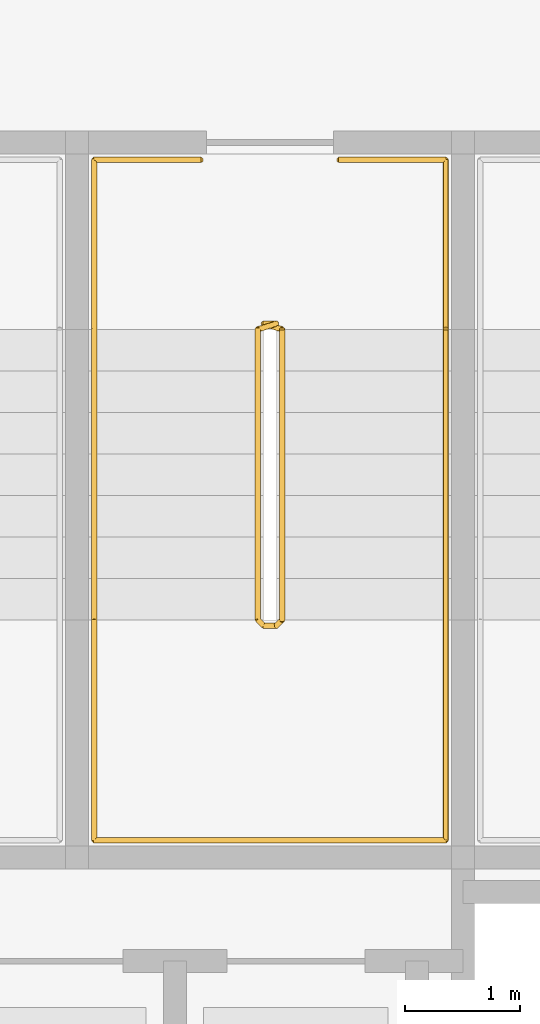
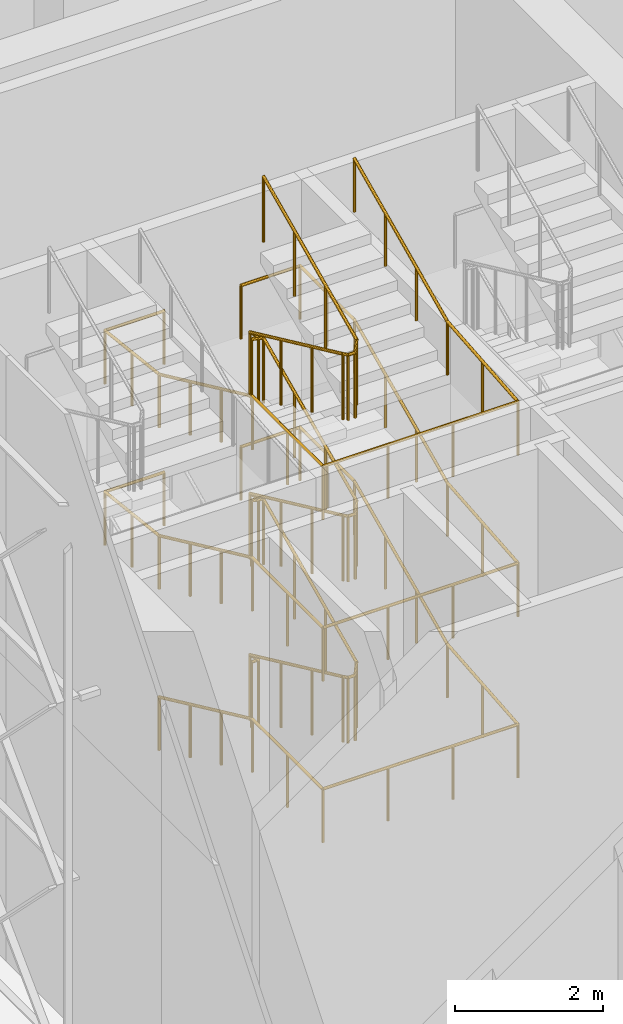
# One storey, part 61 of 64: 4 railings.
"""IFC4 building model written with IfcOpenShell, lengths in metres."""

from ifc_helpers import new_model, si_unit, direction, frame, origin, origin_2d, place, context, subcontext, project, spatial, circle, extrude, material, type_object, element, save


model = new_model("IFC4")

# Units and contexts
model_context = context("Model", 3, precision=1e-05, world=origin(), true_north=direction((0.0, 1.0)))
body_context = subcontext(model_context, "Body", "Model", "MODEL_VIEW")
ifc_project = project(units=[si_unit("LENGTHUNIT", "METRE"), si_unit("AREAUNIT", "SQUARE_METRE"), si_unit("VOLUMEUNIT", "CUBIC_METRE"), si_unit("PLANEANGLEUNIT", "RADIAN"), si_unit("MASSUNIT", "GRAM", prefix="KILO")], contexts=[model_context])

# Site, building, storey
site_placement = place(None, origin())
site = spatial("IfcSite", under=ifc_project, at=site_placement, CompositionType="ELEMENT")
building_placement = place(site_placement, origin())
building = spatial("IfcBuilding", under=site, at=building_placement, Name="Tessera Arch", CompositionType="ELEMENT")
storey_placement = place(building_placement, origin())
storey = spatial("IfcBuildingStorey", under=building, at=storey_placement, Name="L00", CompositionType="ELEMENT", Elevation=0.0)

# Railings
ifc_material_1 = material(Name="Painted steel balustrade", Category="steel")
railing_type_1 = type_object("IfcRailingType", Name="Stair guard 1100", PredefinedType="GUARDRAIL", material=ifc_material_1)
railing_1_placement = place(storey_placement, frame((41.570068359375, 43.6298828125, 0.0)))
element("IfcRailing", 1, at=railing_1_placement, inside=storey, type_object=railing_type_1, Name="L00 S1b stair guard 1", PredefinedType="GUARDRAIL", context=body_context, shape_type="SweptSolid", body=[
    extrude(circle(Radius=0.02392578125, at=origin_2d()), frame((-0.00390625, 0.0, 1.076171875), z_axis=(1.0, 0.0, 0.0), x_axis=(0.0, 1.0, 0.0)), (0.0, 0.0, 1.0), 0.117919921875),
    extrude(circle(Radius=0.02392578125, at=origin_2d()), frame((0.112548828125, 0.000732421875, 1.0732421875), z_axis=(-0.676614622933, -0.210731882562, 0.705538606814), x_axis=(0.297361876254, -0.954764847777, 0.0)), (0.0, 0.0, 1.0), 0.244384765625),
    extrude(circle(Radius=0.02392578125, at=origin_2d()), frame((-0.050048828125, -0.046142578125, 1.2412109375), z_axis=(0.0, -0.907490492863, 0.420072619153), x_axis=(1.0, 0.0, 0.0)), (0.0, 0.0, 1.0), 2.784912109375),
    extrude(circle(Radius=0.02392578125, at=origin_2d()), frame((-0.052978515625, -2.56689453125, 2.4091796875), z_axis=(0.707106781187, -0.707106781187, 0.0), x_axis=(0.707106781187, 0.707106781187, 0.0)), (0.0, 0.0, 1.0), 0.078857421875),
    extrude(circle(Radius=0.02392578125, at=origin_2d()), frame((-0.00390625, -2.619873046875, 2.4091796875), z_axis=(1.0, 0.0, 0.0), x_axis=(0.0, 1.0, 0.0)), (0.0, 0.0, 1.0), 0.117919921875),
    extrude(circle(Radius=0.02392578125, at=origin_2d()), frame((0.108642578125, -2.62109375, 2.405517578125), z_axis=(0.27628659633, 0.27628659633, 0.920506074601), x_axis=(-0.707106781187, 0.707106781187, 0.0)), (0.0, 0.0, 1.0), 0.189208984375),
    extrude(circle(Radius=0.02392578125, at=origin_2d()), frame((0.159912109375, -2.573486328125, 2.574462890625), z_axis=(0.0, 0.907456975791, 0.420145019115), x_axis=(-1.0, 0.0, 0.0)), (0.0, 0.0, 1.0), 2.784912109375),
    extrude(circle(Radius=0.02392578125, at=origin_2d()), frame((0.163818359375, -0.051025390625, 3.74267578125), z_axis=(-0.954764847777, 0.297361876254, 0.0), x_axis=(-0.297361876254, -0.954764847777, 0.0)), (0.0, 0.0, 1.0), 0.175537109375),
    extrude(circle(Radius=0.02392578125, at=origin_2d()), frame((-0.00390625, 0.0, 3.74267578125), z_axis=(1.0, 0.0, 0.0), x_axis=(0.0, 1.0, 0.0)), (0.0, 0.0, 1.0), 0.117919921875),
    extrude(circle(Radius=0.02392578125, at=origin_2d()), frame((0.112548828125, 0.000732421875, 3.739990234375), z_axis=(-0.67710793183, -0.210885523807, 0.705019251157), x_axis=(0.297361876254, -0.954764847777, 0.0)), (0.0, 0.0, 1.0), 0.244140625),
    extrude(circle(Radius=0.02392578125, at=origin_2d()), frame((-0.050048828125, -0.046142578125, 3.90771484375), z_axis=(0.0, -0.907456975791, 0.420145019115), x_axis=(1.0, 0.0, 0.0)), (0.0, 0.0, 1.0), 2.784912109375),
    extrude(circle(Radius=0.02392578125, at=origin_2d()), frame((-0.052978515625, -2.56689453125, 5.076171875), z_axis=(0.707106781187, -0.707106781187, 0.0), x_axis=(0.707106781187, 0.707106781187, 0.0)), (0.0, 0.0, 1.0), 0.078857421875),
    extrude(circle(Radius=0.02392578125, at=origin_2d()), frame((-0.00390625, -2.619873046875, 5.076171875), z_axis=(1.0, 0.0, 0.0), x_axis=(0.0, 1.0, 0.0)), (0.0, 0.0, 1.0), 0.117919921875),
    extrude(circle(Radius=0.02392578125, at=origin_2d()), frame((0.108642578125, -2.62109375, 5.072265625), z_axis=(0.27628659633, 0.27628659633, 0.920506074601), x_axis=(-0.707106781187, 0.707106781187, 0.0)), (0.0, 0.0, 1.0), 0.189208984375),
    extrude(circle(Radius=0.02392578125, at=origin_2d()), frame((0.159912109375, -2.573486328125, 5.2412109375), z_axis=(0.0, 0.907490492863, 0.420072619153), x_axis=(-1.0, 0.0, 0.0)), (0.0, 0.0, 1.0), 2.784912109375),
    extrude(circle(Radius=0.02392578125, at=origin_2d()), frame((0.163818359375, -0.051025390625, 6.4091796875), z_axis=(-0.954764847777, 0.297361876254, 0.0), x_axis=(-0.297361876254, -0.954764847777, 0.0)), (0.0, 0.0, 1.0), 0.175537109375),
    extrude(circle(Radius=0.02392578125, at=origin_2d()), frame((-0.00390625, 0.0, 6.4091796875), z_axis=(1.0, 0.0, 0.0), x_axis=(0.0, 1.0, 0.0)), (0.0, 0.0, 1.0), 0.117919921875),
    extrude(circle(Radius=0.02392578125, at=origin_2d()), frame((0.112548828125, 0.000732421875, 6.406494140625), z_axis=(-0.676614622933, -0.210731882562, 0.705538606814), x_axis=(0.297361876254, -0.954764847777, 0.0)), (0.0, 0.0, 1.0), 0.244384765625),
    extrude(circle(Radius=0.02392578125, at=origin_2d()), frame((-0.050048828125, -0.046142578125, 6.574462890625), z_axis=(0.0, -0.907456975791, 0.420145019115), x_axis=(1.0, 0.0, 0.0)), (0.0, 0.0, 1.0), 2.784912109375),
    extrude(circle(Radius=0.02392578125, at=origin_2d()), frame((-0.052978515625, -2.56689453125, 7.74267578125), z_axis=(0.707106781187, -0.707106781187, 0.0), x_axis=(0.707106781187, 0.707106781187, 0.0)), (0.0, 0.0, 1.0), 0.078857421875),
    extrude(circle(Radius=0.02392578125, at=origin_2d()), frame((-0.00390625, -2.619873046875, 7.74267578125), z_axis=(1.0, 0.0, 0.0), x_axis=(0.0, 1.0, 0.0)), (0.0, 0.0, 1.0), 0.117919921875),
    extrude(circle(Radius=0.02392578125, at=origin_2d()), frame((0.108642578125, -2.62109375, 7.739013671875), z_axis=(0.27662974545, 0.27662974545, 0.920299933644), x_axis=(-0.707106781187, 0.707106781187, 0.0)), (0.0, 0.0, 1.0), 0.18896484375),
    extrude(circle(Radius=0.02392578125, at=origin_2d()), frame((0.159912109375, -2.573486328125, 7.90771484375), z_axis=(0.0, 0.907456975791, 0.420145019115), x_axis=(-1.0, 0.0, 0.0)), (0.0, 0.0, 1.0), 2.784912109375),
    extrude(circle(Radius=0.02099609375, at=origin_2d()), origin(), (0.0, 0.0, 1.0), 1.06396484375),
    extrude(circle(Radius=0.02099609375, at=origin_2d()), frame((0.10986328125, 0.0, 0.0)), (0.0, 0.0, 1.0), 1.06396484375),
    extrude(circle(Radius=0.02099609375, at=origin_2d()), frame((-0.050048828125, -0.0498046875, 0.166748046875)), (0.0, 0.0, 1.0), 1.06396484375),
    extrude(circle(Radius=0.02099609375, at=origin_2d()), frame((-0.050048828125, -0.889892578125, 0.5556640625)), (0.0, 0.0, 1.0), 1.06396484375),
    extrude(circle(Radius=0.02099609375, at=origin_2d()), frame((-0.050048828125, -1.729736328125, 0.9443359375)), (0.0, 0.0, 1.0), 1.06396484375),
    extrude(circle(Radius=0.02099609375, at=origin_2d()), frame((-0.050048828125, -2.56982421875, 1.333251953125)), (0.0, 0.0, 1.0), 1.06396484375),
    extrude(circle(Radius=0.02099609375, at=origin_2d()), frame((0.0, -2.619873046875, 1.333251953125)), (0.0, 0.0, 1.0), 1.06396484375),
    extrude(circle(Radius=0.02099609375, at=origin_2d()), frame((0.10986328125, -2.619873046875, 1.333251953125)), (0.0, 0.0, 1.0), 1.06396484375),
    extrude(circle(Radius=0.02099609375, at=origin_2d()), frame((0.159912109375, -2.56982421875, 1.5)), (0.0, 0.0, 1.0), 1.06396484375),
    extrude(circle(Radius=0.02099609375, at=origin_2d()), frame((0.159912109375, -1.729736328125, 1.888916015625)), (0.0, 0.0, 1.0), 1.06396484375),
    extrude(circle(Radius=0.02099609375, at=origin_2d()), frame((0.159912109375, -0.889892578125, 2.27783203125)), (0.0, 0.0, 1.0), 1.06396484375),
    extrude(circle(Radius=0.02099609375, at=origin_2d()), frame((0.159912109375, -0.0498046875, 2.666748046875)), (0.0, 0.0, 1.0), 1.06396484375),
    extrude(circle(Radius=0.02099609375, at=origin_2d()), frame((0.0, 0.0, 2.666748046875)), (0.0, 0.0, 1.0), 1.06396484375),
    extrude(circle(Radius=0.02099609375, at=origin_2d()), frame((0.10986328125, 0.0, 2.666748046875)), (0.0, 0.0, 1.0), 1.06396484375),
    extrude(circle(Radius=0.02099609375, at=origin_2d()), frame((-0.050048828125, -0.0498046875, 2.833251953125)), (0.0, 0.0, 1.0), 1.06396484375),
    extrude(circle(Radius=0.02099609375, at=origin_2d()), frame((-0.050048828125, -0.889892578125, 3.22216796875)), (0.0, 0.0, 1.0), 1.06396484375),
    extrude(circle(Radius=0.02099609375, at=origin_2d()), frame((-0.050048828125, -1.729736328125, 3.611083984375)), (0.0, 0.0, 1.0), 1.06396484375),
    extrude(circle(Radius=0.02099609375, at=origin_2d()), frame((-0.050048828125, -2.56982421875, 4.0)), (0.0, 0.0, 1.0), 1.06396484375),
    extrude(circle(Radius=0.02099609375, at=origin_2d()), frame((0.0, -2.619873046875, 4.0)), (0.0, 0.0, 1.0), 1.06396484375),
    extrude(circle(Radius=0.02099609375, at=origin_2d()), frame((0.10986328125, -2.619873046875, 4.0)), (0.0, 0.0, 1.0), 1.06396484375),
    extrude(circle(Radius=0.02099609375, at=origin_2d()), frame((0.159912109375, -2.56982421875, 4.166748046875)), (0.0, 0.0, 1.0), 1.06396484375),
    extrude(circle(Radius=0.02099609375, at=origin_2d()), frame((0.159912109375, -1.729736328125, 4.5556640625)), (0.0, 0.0, 1.0), 1.06396484375),
    extrude(circle(Radius=0.02099609375, at=origin_2d()), frame((0.159912109375, -0.889892578125, 4.9443359375)), (0.0, 0.0, 1.0), 1.06396484375),
    extrude(circle(Radius=0.02099609375, at=origin_2d()), frame((0.159912109375, -0.0498046875, 5.333251953125)), (0.0, 0.0, 1.0), 1.06396484375),
    extrude(circle(Radius=0.02099609375, at=origin_2d()), frame((0.0, 0.0, 5.333251953125)), (0.0, 0.0, 1.0), 1.06396484375),
    extrude(circle(Radius=0.02099609375, at=origin_2d()), frame((0.10986328125, 0.0, 5.333251953125)), (0.0, 0.0, 1.0), 1.06396484375),
    extrude(circle(Radius=0.02099609375, at=origin_2d()), frame((-0.050048828125, -0.0498046875, 5.5)), (0.0, 0.0, 1.0), 1.06396484375),
    extrude(circle(Radius=0.02099609375, at=origin_2d()), frame((-0.050048828125, -0.889892578125, 5.888916015625)), (0.0, 0.0, 1.0), 1.06396484375),
    extrude(circle(Radius=0.02099609375, at=origin_2d()), frame((-0.050048828125, -1.729736328125, 6.27783203125)), (0.0, 0.0, 1.0), 1.06396484375),
    extrude(circle(Radius=0.02099609375, at=origin_2d()), frame((-0.050048828125, -2.56982421875, 6.666748046875)), (0.0, 0.0, 1.0), 1.06396484375),
    extrude(circle(Radius=0.02099609375, at=origin_2d()), frame((0.0, -2.619873046875, 6.666748046875)), (0.0, 0.0, 1.0), 1.06396484375),
    extrude(circle(Radius=0.02099609375, at=origin_2d()), frame((0.10986328125, -2.619873046875, 6.666748046875)), (0.0, 0.0, 1.0), 1.06396484375),
    extrude(circle(Radius=0.02099609375, at=origin_2d()), frame((0.159912109375, -2.56982421875, 6.833251953125)), (0.0, 0.0, 1.0), 1.06396484375),
    extrude(circle(Radius=0.02099609375, at=origin_2d()), frame((0.159912109375, -1.729736328125, 7.22216796875)), (0.0, 0.0, 1.0), 1.06396484375),
    extrude(circle(Radius=0.02099609375, at=origin_2d()), frame((0.159912109375, -0.889892578125, 7.611083984375)), (0.0, 0.0, 1.0), 1.06396484375),
    extrude(circle(Radius=0.02099609375, at=origin_2d()), frame((0.159912109375, -0.0498046875, 8.0)), (0.0, 0.0, 1.0), 1.06396484375),
])
ifc_material_2 = material(Name="Painted steel handrail", Category="steel")
railing_type_2 = type_object("IfcRailingType", Name="Stair handrail 900", PredefinedType="HANDRAIL", material=ifc_material_2)
railing_2_placement = place(storey_placement, frame((40.10009765625, 43.580078125, 0.166748046875)))
element("IfcRailing", 2, at=railing_2_placement, inside=storey, type_object=railing_type_2, Name="L00 S1b stair handrail", PredefinedType="HANDRAIL", context=body_context, shape_type="SweptSolid", body=[
    extrude(circle(Radius=0.02392578125, at=origin_2d()), frame((0.0, 0.003662109375, 0.874267578125), z_axis=(0.0, -0.907490492863, 0.420072619153), x_axis=(1.0, 0.0, 0.0)), (0.0, 0.0, 1.0), 2.784912109375),
    extrude(circle(Radius=0.02392578125, at=origin_2d()), frame((0.0, -2.51611328125, 2.04248046875), z_axis=(0.0, -1.0, 0.0), x_axis=(1.0, 0.0, 0.0)), (0.0, 0.0, 1.0), 1.918212890625),
    extrude(circle(Radius=0.02392578125, at=origin_2d()), frame((-0.00390625, -4.43017578125, 2.04248046875), z_axis=(1.0, 0.0, 0.0), x_axis=(0.0, 1.0, 0.0)), (0.0, 0.0, 1.0), 3.057861328125),
    extrude(circle(Radius=0.02392578125, at=origin_2d()), frame((3.0498046875, -4.43408203125, 2.0419921875), z_axis=(0.0, 0.996211387406, 0.086964772188), x_axis=(-1.0, 0.0, 0.0)), (0.0, 0.0, 1.0), 1.925537109375),
    extrude(circle(Radius=0.02392578125, at=origin_2d()), frame((3.0498046875, -2.523681640625, 2.20751953125), z_axis=(0.0, 0.907456975791, 0.420145019115), x_axis=(-1.0, 0.0, 0.0)), (0.0, 0.0, 1.0), 2.784912109375),
    extrude(circle(Radius=0.02392578125, at=origin_2d()), frame((3.0498046875, -0.00390625, 3.3759765625), z_axis=(0.0, 1.0, 0.0), x_axis=(-1.0, 0.0, 0.0)), (0.0, 0.0, 1.0), 1.47802734375),
    extrude(circle(Radius=0.02392578125, at=origin_2d()), frame((3.0537109375, 1.469970703125, 3.3759765625), z_axis=(-1.0, 0.0, 0.0), x_axis=(0.0, -1.0, 0.0)), (0.0, 0.0, 1.0), 0.932861328125),
    extrude(circle(Radius=0.02099609375, at=origin_2d()), origin(), (0.0, 0.0, 1.0), 0.86376953125),
    extrude(circle(Radius=0.02099609375, at=origin_2d()), frame((0.0, -0.840087890625, 0.388916015625)), (0.0, 0.0, 1.0), 0.86376953125),
    extrude(circle(Radius=0.02099609375, at=origin_2d()), frame((0.0, -1.679931640625, 0.777587890625)), (0.0, 0.0, 1.0), 0.86376953125),
    extrude(circle(Radius=0.02099609375, at=origin_2d()), frame((0.0, -2.52001953125, 1.16650390625)), (0.0, 0.0, 1.0), 0.86376953125),
    extrude(circle(Radius=0.02099609375, at=origin_2d()), frame((0.0, -3.47509765625, 1.16650390625)), (0.0, 0.0, 1.0), 0.86376953125),
    extrude(circle(Radius=0.02099609375, at=origin_2d()), frame((0.0, -4.43017578125, 1.16650390625)), (0.0, 0.0, 1.0), 0.86376953125),
    extrude(circle(Radius=0.02099609375, at=origin_2d()), frame((1.0166015625, -4.43017578125, 1.16650390625)), (0.0, 0.0, 1.0), 0.86376953125),
    extrude(circle(Radius=0.02099609375, at=origin_2d()), frame((2.033203125, -4.43017578125, 1.16650390625)), (0.0, 0.0, 1.0), 0.86376953125),
    extrude(circle(Radius=0.02099609375, at=origin_2d()), frame((3.0498046875, -4.43017578125, 1.16650390625)), (0.0, 0.0, 1.0), 0.86376953125),
    extrude(circle(Radius=0.02099609375, at=origin_2d()), frame((3.0498046875, -3.47509765625, 1.25)), (0.0, 0.0, 1.0), 0.86376953125),
    extrude(circle(Radius=0.02099609375, at=origin_2d()), frame((3.0498046875, -2.52001953125, 1.333251953125)), (0.0, 0.0, 1.0), 0.86376953125),
    extrude(circle(Radius=0.02099609375, at=origin_2d()), frame((3.0498046875, -1.679931640625, 1.72216796875)), (0.0, 0.0, 1.0), 0.86376953125),
    extrude(circle(Radius=0.02099609375, at=origin_2d()), frame((3.0498046875, -0.840087890625, 2.111083984375)), (0.0, 0.0, 1.0), 0.86376953125),
    extrude(circle(Radius=0.02099609375, at=origin_2d()), frame((3.0498046875, 0.0, 2.5)), (0.0, 0.0, 1.0), 0.86376953125),
    extrude(circle(Radius=0.02099609375, at=origin_2d()), frame((3.0498046875, 0.73486328125, 2.5)), (0.0, 0.0, 1.0), 0.86376953125),
    extrude(circle(Radius=0.02099609375, at=origin_2d()), frame((3.0498046875, 1.469970703125, 2.5)), (0.0, 0.0, 1.0), 0.86376953125),
    extrude(circle(Radius=0.02099609375, at=origin_2d()), frame((2.125, 1.469970703125, 2.5)), (0.0, 0.0, 1.0), 0.86376953125),
])
railing_3_placement = place(storey_placement, frame((41.02490234375, 45.050048828125, 2.666748046875)))
element("IfcRailing", 3, at=railing_3_placement, inside=storey, type_object=railing_type_2, Name="L00 S1b stair handrail 2", PredefinedType="HANDRAIL", context=body_context, shape_type="SweptSolid", body=[
    extrude(circle(Radius=0.02392578125, at=origin_2d()), frame((0.00390625, 0.0, 0.8759765625), z_axis=(-1.0, 0.0, 0.0), x_axis=(0.0, -1.0, 0.0)), (0.0, 0.0, 1.0), 0.932861328125),
    extrude(circle(Radius=0.02392578125, at=origin_2d()), frame((-0.9248046875, 0.00390625, 0.87548828125), z_axis=(0.0, -0.993646005566, 0.11255050254), x_axis=(1.0, 0.0, 0.0)), (0.0, 0.0, 1.0), 1.4873046875),
    extrude(circle(Radius=0.02392578125, at=origin_2d()), frame((-0.9248046875, -1.46630859375, 1.040771484375), z_axis=(0.0, -0.907456975791, 0.420145019115), x_axis=(1.0, 0.0, 0.0)), (0.0, 0.0, 1.0), 2.784912109375),
    extrude(circle(Radius=0.02392578125, at=origin_2d()), frame((-0.9248046875, -3.986083984375, 2.208984375), z_axis=(0.0, -1.0, 0.0), x_axis=(1.0, 0.0, 0.0)), (0.0, 0.0, 1.0), 1.918212890625),
    extrude(circle(Radius=0.02392578125, at=origin_2d()), frame((-0.9287109375, -5.900146484375, 2.208984375), z_axis=(1.0, 0.0, 0.0), x_axis=(0.0, 1.0, 0.0)), (0.0, 0.0, 1.0), 3.057861328125),
    extrude(circle(Radius=0.02392578125, at=origin_2d()), frame((2.125, -5.904052734375, 2.208740234375), z_axis=(0.0, 0.996211387406, 0.086964772188), x_axis=(-1.0, 0.0, 0.0)), (0.0, 0.0, 1.0), 1.925537109375),
    extrude(circle(Radius=0.02392578125, at=origin_2d()), frame((2.125, -3.99365234375, 2.374267578125), z_axis=(0.0, 0.907490492863, 0.420072619153), x_axis=(-1.0, 0.0, 0.0)), (0.0, 0.0, 1.0), 2.784912109375),
    extrude(circle(Radius=0.02392578125, at=origin_2d()), frame((2.125, -1.473876953125, 3.54248046875), z_axis=(0.0, 1.0, 0.0), x_axis=(-1.0, 0.0, 0.0)), (0.0, 0.0, 1.0), 1.47802734375),
    extrude(circle(Radius=0.02392578125, at=origin_2d()), frame((2.12890625, 0.0, 3.54248046875), z_axis=(-1.0, 0.0, 0.0), x_axis=(0.0, -1.0, 0.0)), (0.0, 0.0, 1.0), 0.932861328125),
    extrude(circle(Radius=0.02099609375, at=origin_2d()), origin(), (0.0, 0.0, 1.0), 0.86376953125),
    extrude(circle(Radius=0.02099609375, at=origin_2d()), frame((-0.9248046875, 0.0, 0.0)), (0.0, 0.0, 1.0), 0.86376953125),
    extrude(circle(Radius=0.02099609375, at=origin_2d()), frame((-0.9248046875, -0.73486328125, 0.083251953125)), (0.0, 0.0, 1.0), 0.86376953125),
    extrude(circle(Radius=0.02099609375, at=origin_2d()), frame((-0.9248046875, -1.469970703125, 0.16650390625)), (0.0, 0.0, 1.0), 0.86376953125),
    extrude(circle(Radius=0.02099609375, at=origin_2d()), frame((-0.9248046875, -2.31005859375, 0.555419921875)), (0.0, 0.0, 1.0), 0.86376953125),
    extrude(circle(Radius=0.02099609375, at=origin_2d()), frame((-0.9248046875, -3.14990234375, 0.9443359375)), (0.0, 0.0, 1.0), 0.86376953125),
    extrude(circle(Radius=0.02099609375, at=origin_2d()), frame((-0.9248046875, -3.989990234375, 1.333251953125)), (0.0, 0.0, 1.0), 0.86376953125),
    extrude(circle(Radius=0.02099609375, at=origin_2d()), frame((-0.9248046875, -4.945068359375, 1.333251953125)), (0.0, 0.0, 1.0), 0.86376953125),
    extrude(circle(Radius=0.02099609375, at=origin_2d()), frame((-0.9248046875, -5.900146484375, 1.333251953125)), (0.0, 0.0, 1.0), 0.86376953125),
    extrude(circle(Radius=0.02099609375, at=origin_2d()), frame((0.091796875, -5.900146484375, 1.333251953125)), (0.0, 0.0, 1.0), 0.86376953125),
    extrude(circle(Radius=0.02099609375, at=origin_2d()), frame((1.1083984375, -5.900146484375, 1.333251953125)), (0.0, 0.0, 1.0), 0.86376953125),
    extrude(circle(Radius=0.02099609375, at=origin_2d()), frame((2.125, -5.900146484375, 1.333251953125)), (0.0, 0.0, 1.0), 0.86376953125),
    extrude(circle(Radius=0.02099609375, at=origin_2d()), frame((2.125, -4.945068359375, 1.41650390625)), (0.0, 0.0, 1.0), 0.86376953125),
    extrude(circle(Radius=0.02099609375, at=origin_2d()), frame((2.125, -3.989990234375, 1.5)), (0.0, 0.0, 1.0), 0.86376953125),
    extrude(circle(Radius=0.02099609375, at=origin_2d()), frame((2.125, -3.14990234375, 1.888916015625)), (0.0, 0.0, 1.0), 0.86376953125),
    extrude(circle(Radius=0.02099609375, at=origin_2d()), frame((2.125, -2.31005859375, 2.277587890625)), (0.0, 0.0, 1.0), 0.86376953125),
    extrude(circle(Radius=0.02099609375, at=origin_2d()), frame((2.125, -1.469970703125, 2.66650390625)), (0.0, 0.0, 1.0), 0.86376953125),
    extrude(circle(Radius=0.02099609375, at=origin_2d()), frame((2.125, -0.73486328125, 2.66650390625)), (0.0, 0.0, 1.0), 0.86376953125),
    extrude(circle(Radius=0.02099609375, at=origin_2d()), frame((2.125, 0.0, 2.66650390625)), (0.0, 0.0, 1.0), 0.86376953125),
    extrude(circle(Radius=0.02099609375, at=origin_2d()), frame((1.2001953125, 0.0, 2.66650390625)), (0.0, 0.0, 1.0), 0.86376953125),
])
railing_4_placement = place(storey_placement, frame((41.02490234375, 45.050048828125, 5.333251953125)))
element("IfcRailing", 4, at=railing_4_placement, inside=storey, type_object=railing_type_2, Name="L00 S1b stair handrail 3", PredefinedType="HANDRAIL", context=body_context, shape_type="SweptSolid", body=[
    extrude(circle(Radius=0.02392578125, at=origin_2d()), frame((0.00390625, 0.0, 0.8759765625), z_axis=(-1.0, 0.0, 0.0), x_axis=(0.0, -1.0, 0.0)), (0.0, 0.0, 1.0), 0.932861328125),
    extrude(circle(Radius=0.02392578125, at=origin_2d()), frame((-0.9248046875, 0.00390625, 0.87548828125), z_axis=(0.0, -0.993627536354, 0.112713437524), x_axis=(1.0, 0.0, 0.0)), (0.0, 0.0, 1.0), 1.4873046875),
    extrude(circle(Radius=0.02392578125, at=origin_2d()), frame((-0.9248046875, -1.46630859375, 1.041015625), z_axis=(0.0, -0.907456975791, 0.420145019115), x_axis=(1.0, 0.0, 0.0)), (0.0, 0.0, 1.0), 2.784912109375),
    extrude(circle(Radius=0.02392578125, at=origin_2d()), frame((-0.9248046875, -3.986083984375, 2.20947265625), z_axis=(0.0, -1.0, 0.0), x_axis=(1.0, 0.0, 0.0)), (0.0, 0.0, 1.0), 1.918212890625),
    extrude(circle(Radius=0.02392578125, at=origin_2d()), frame((-0.9287109375, -5.900146484375, 2.20947265625), z_axis=(1.0, 0.0, 0.0), x_axis=(0.0, 1.0, 0.0)), (0.0, 0.0, 1.0), 3.057861328125),
    extrude(circle(Radius=0.02392578125, at=origin_2d()), frame((2.125, -5.904052734375, 2.208984375), z_axis=(0.0, 0.996222410581, 0.086838405421), x_axis=(-1.0, 0.0, 0.0)), (0.0, 0.0, 1.0), 1.92529296875),
    extrude(circle(Radius=0.02392578125, at=origin_2d()), frame((2.125, -3.99365234375, 2.374267578125), z_axis=(0.0, 0.907456975791, 0.420145019115), x_axis=(-1.0, 0.0, 0.0)), (0.0, 0.0, 1.0), 2.784912109375),
    extrude(circle(Radius=0.02099609375, at=origin_2d()), origin(), (0.0, 0.0, 1.0), 0.86376953125),
    extrude(circle(Radius=0.02099609375, at=origin_2d()), frame((-0.9248046875, 0.0, 0.0)), (0.0, 0.0, 1.0), 0.86376953125),
    extrude(circle(Radius=0.02099609375, at=origin_2d()), frame((-0.9248046875, -0.73486328125, 0.08349609375)), (0.0, 0.0, 1.0), 0.86376953125),
    extrude(circle(Radius=0.02099609375, at=origin_2d()), frame((-0.9248046875, -1.469970703125, 0.166748046875)), (0.0, 0.0, 1.0), 0.86376953125),
    extrude(circle(Radius=0.02099609375, at=origin_2d()), frame((-0.9248046875, -2.31005859375, 0.5556640625)), (0.0, 0.0, 1.0), 0.86376953125),
    extrude(circle(Radius=0.02099609375, at=origin_2d()), frame((-0.9248046875, -3.14990234375, 0.944580078125)), (0.0, 0.0, 1.0), 0.86376953125),
    extrude(circle(Radius=0.02099609375, at=origin_2d()), frame((-0.9248046875, -3.989990234375, 1.33349609375)), (0.0, 0.0, 1.0), 0.86376953125),
    extrude(circle(Radius=0.02099609375, at=origin_2d()), frame((-0.9248046875, -4.945068359375, 1.33349609375)), (0.0, 0.0, 1.0), 0.86376953125),
    extrude(circle(Radius=0.02099609375, at=origin_2d()), frame((-0.9248046875, -5.900146484375, 1.33349609375)), (0.0, 0.0, 1.0), 0.86376953125),
    extrude(circle(Radius=0.02099609375, at=origin_2d()), frame((0.091796875, -5.900146484375, 1.33349609375)), (0.0, 0.0, 1.0), 0.86376953125),
    extrude(circle(Radius=0.02099609375, at=origin_2d()), frame((1.1083984375, -5.900146484375, 1.33349609375)), (0.0, 0.0, 1.0), 0.86376953125),
    extrude(circle(Radius=0.02099609375, at=origin_2d()), frame((2.125, -5.900146484375, 1.33349609375)), (0.0, 0.0, 1.0), 0.86376953125),
    extrude(circle(Radius=0.02099609375, at=origin_2d()), frame((2.125, -4.945068359375, 1.416748046875)), (0.0, 0.0, 1.0), 0.86376953125),
    extrude(circle(Radius=0.02099609375, at=origin_2d()), frame((2.125, -3.989990234375, 1.5)), (0.0, 0.0, 1.0), 0.86376953125),
    extrude(circle(Radius=0.02099609375, at=origin_2d()), frame((2.125, -3.14990234375, 1.888916015625)), (0.0, 0.0, 1.0), 0.86376953125),
    extrude(circle(Radius=0.02099609375, at=origin_2d()), frame((2.125, -2.31005859375, 2.27783203125)), (0.0, 0.0, 1.0), 0.86376953125),
    extrude(circle(Radius=0.02099609375, at=origin_2d()), frame((2.125, -1.469970703125, 2.666748046875)), (0.0, 0.0, 1.0), 0.86376953125),
])

save(model, "model.ifc")
